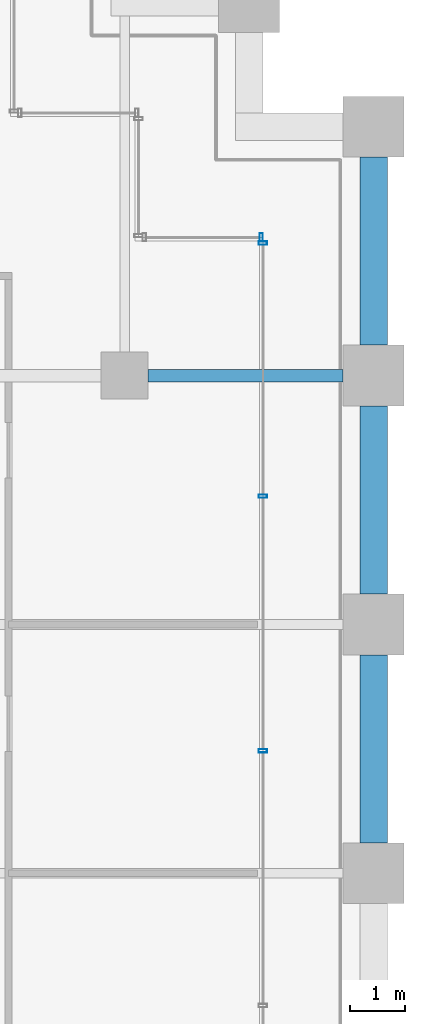
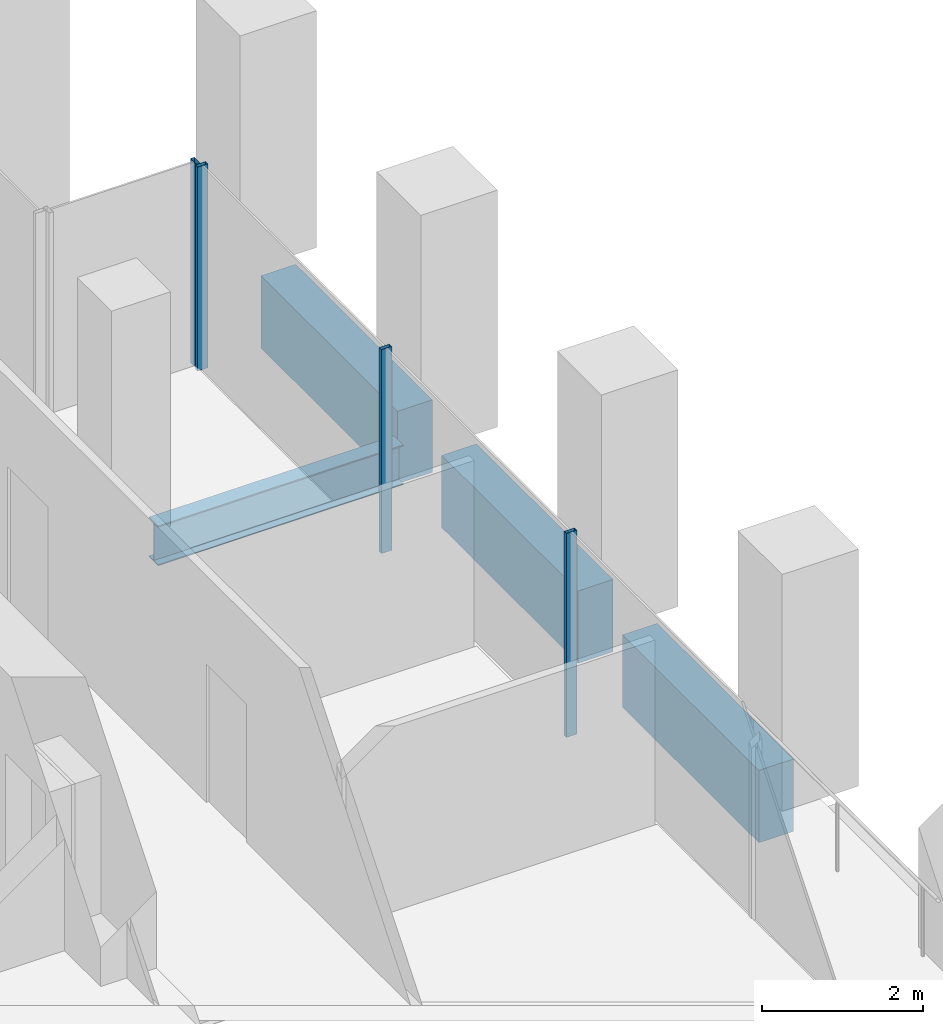
# One storey, part 47 of 54: 4 beams, 4 members, 2 elements without a shape of their own.
"""IFC4 building model written with IfcOpenShell, lengths in metres."""

from ifc_helpers import new_model, si_unit, direction, frame, origin, origin_2d, place, context, subcontext, project, spatial, rectangle, hollow_rectangle, i_section, extrude, material, material_profile, profile_set, type_object, element, aggregate, save


model = new_model("IFC4")

# Units and contexts
model_context = context("Model", 3, precision=1e-05, world=origin(), true_north=direction((0.0, 1.0)))
body_context = subcontext(model_context, "Body", "Model", "MODEL_VIEW")
ifc_project = project(units=[si_unit("LENGTHUNIT", "METRE"), si_unit("AREAUNIT", "SQUARE_METRE"), si_unit("VOLUMEUNIT", "CUBIC_METRE"), si_unit("PLANEANGLEUNIT", "RADIAN"), si_unit("MASSUNIT", "GRAM", prefix="KILO")], contexts=[model_context])

# Site, building, storey
site_placement = place(None, origin())
site = spatial("IfcSite", under=ifc_project, at=site_placement, CompositionType="ELEMENT")
building_placement = place(site_placement, origin())
building = spatial("IfcBuilding", under=site, at=building_placement, Name="Altepetl Exchange Towers", CompositionType="ELEMENT")
storey_placement = place(building_placement, frame((0.0, 0.0, 61.800048828125)))
storey = spatial("IfcBuildingStorey", under=building, at=storey_placement, Name="L14", CompositionType="ELEMENT", Elevation=61.800048828125)

# Beam
ifc_material_1 = material(Name="Steel S355", Category="steel")
ifc_material_profile_1 = material_profile(ifc_material_1, i_section(OverallWidth=0.22802734375, OverallDepth=0.60791015625, WebThickness=0.01123046875, FlangeThickness=0.017333984375, at=origin_2d()), Name="W24X76")
ifc_profile_set_1 = profile_set([ifc_material_profile_1], Name="Steel S355")
beam_type_1 = type_object("IfcBeamType", Name="Girder W24X76", PredefinedType="BEAM", material=ifc_profile_set_1)
beam_1_placement = place(storey_placement, frame((121.925048828125, 49.5, -0.4541015625), z_axis=(1.0, 0.0, 0.0), x_axis=(0.0, 1.0, 0.0)))
element("IfcBeam", 1, at=beam_1_placement, inside=storey, type_object=beam_type_1, Name="gd:B:L14:001", PredefinedType="BEAM", context=body_context, shape_type="SweptSolid", body=[
    extrude(i_section(OverallWidth=0.22802734375, OverallDepth=0.60791015625, WebThickness=0.01123046875, FlangeThickness=0.017333984375, at=origin_2d()), origin(), (0.0, 0.0, 1.0), 3.52490234375),
])

# Curtain wall, members
ifc_material_2 = material(Name="Aluminium 6063-T6 glazing", Category="aluminium")
curtain_wall_type = type_object("IfcCurtainWallType", Name="Loggia glazing system", PredefinedType="NOTDEFINED", material=ifc_material_2)
curtain_wall_1_placement = place(storey_placement, origin())
curtain_wall_1 = element("IfcCurtainWall", 2, at=curtain_wall_1_placement, inside=storey, type_object=curtain_wall_type, Name="CW1 run", PredefinedType="NOTDEFINED")
ifc_material_3 = material(Name="Aluminium 6063-T6", Category="aluminium")
ifc_material_profile_2 = material_profile(ifc_material_3, hollow_rectangle(XDim=0.06005859375, YDim=0.14990234375, WallThickness=0.0029296875, at=origin_2d()), Name="Mullion 60x150 aluminium")
ifc_profile_set_2 = profile_set([ifc_material_profile_2], Name="Aluminium 6063-T6")
member_type = type_object("IfcMemberType", Name="Mullion 60x150 aluminium", PredefinedType="MULLION", material=ifc_profile_set_2)
member_1_placement = place(storey_placement, frame((124.0, 42.71240234375, 0.0), z_axis=(0.0, 0.0, 1.0), x_axis=(0.0, 1.0, 0.0)))
member_1 = element("IfcMember", 3, at=member_1_placement, type_object=member_type, Name="MU1 mullion", PredefinedType="MULLION", context=body_context, shape_type="SweptSolid", body=[
    extrude(hollow_rectangle(XDim=0.06005859375, YDim=0.14990234375, WallThickness=0.0029296875, at=origin_2d()), origin(), (0.0, 0.0, 1.0), 3.099853515625),
])
member_2_placement = place(storey_placement, frame((124.0, 47.31884765625, 0.0), z_axis=(0.0, 0.0, 1.0), x_axis=(0.0, 1.0, 0.0)))
member_2 = element("IfcMember", 4, at=member_2_placement, type_object=member_type, Name="MU1 mullion", PredefinedType="MULLION", context=body_context, shape_type="SweptSolid", body=[
    extrude(hollow_rectangle(XDim=0.06005859375, YDim=0.14990234375, WallThickness=0.0029296875, at=origin_2d()), origin(), (0.0, 0.0, 1.0), 3.099853515625),
])
member_3_placement = place(storey_placement, frame((124.0, 51.89501953125, 0.0), z_axis=(0.0, 0.0, 1.0), x_axis=(0.0, 1.0, 0.0)))
member_3 = element("IfcMember", 5, at=member_3_placement, type_object=member_type, Name="MU1 mullion", PredefinedType="MULLION", context=body_context, shape_type="SweptSolid", body=[
    extrude(hollow_rectangle(XDim=0.06005859375, YDim=0.14990234375, WallThickness=0.0029296875, at=origin_2d()), origin(), (0.0, 0.0, 1.0), 3.099853515625),
])
aggregate(curtain_wall_1, [member_1, member_2, member_3])

# Curtain wall, member
curtain_wall_2_placement = place(storey_placement, origin())
curtain_wall_2 = element("IfcCurtainWall", 6, at=curtain_wall_2_placement, inside=storey, type_object=curtain_wall_type, Name="CW1 run", PredefinedType="NOTDEFINED")
member_4_placement = place(storey_placement, frame((123.969970703125, 52.0, 0.0), z_axis=(0.0, 0.0, 1.0), x_axis=(-1.0, 0.0, 0.0)))
member_4 = element("IfcMember", 7, at=member_4_placement, type_object=member_type, Name="MU1 mullion", PredefinedType="MULLION", context=body_context, shape_type="SweptSolid", body=[
    extrude(hollow_rectangle(XDim=0.06005859375, YDim=0.14990234375, WallThickness=0.0029296875, at=origin_2d()), origin(), (0.0, 0.0, 1.0), 3.099853515625),
])
aggregate(curtain_wall_2, [member_4])

# Beams
ifc_material_4 = material(Name="Concrete C50/60 precast with cantera amarilla facing", Category="concrete")
ifc_material_profile_3 = material_profile(ifc_material_4, rectangle(XDim=0.5, YDim=1.10009765625, at=origin_2d()), Name="500 x 1100")
ifc_profile_set_3 = profile_set([ifc_material_profile_3], Name="Concrete C50/60 precast with cantera amarilla facing")
beam_type_2 = type_object("IfcBeamType", Name="Spandrel beam 500x1100 cantera amarilla", PredefinedType="SPANDREL", material=ifc_profile_set_3)
beam_2_placement = place(storey_placement, frame((126.0, 50.050048828125, -0.699951171875), z_axis=(0.0, 1.0, 0.0), x_axis=(-1.0, 0.0, 0.0)))
element("IfcBeam", 8, at=beam_2_placement, inside=storey, type_object=beam_type_2, Name="sp:B:L14:013", PredefinedType="SPANDREL", context=body_context, shape_type="SweptSolid", body=[
    extrude(rectangle(XDim=0.5, YDim=1.10009765625, at=origin_2d()), origin(), (0.0, 0.0, 1.0), 3.39990234375),
])
ifc_material_5 = material(Name="Concrete C50/60 precast with cantera blanca facing", Category="concrete")
ifc_material_profile_4 = material_profile(ifc_material_5, rectangle(XDim=0.5, YDim=1.10009765625, at=origin_2d()), Name="500 x 1100")
ifc_profile_set_4 = profile_set([ifc_material_profile_4], Name="Concrete C50/60 precast with cantera blanca facing")
beam_type_3 = type_object("IfcBeamType", Name="Spandrel beam 500x1100 cantera blanca", PredefinedType="SPANDREL", material=ifc_profile_set_4)
for number, where, z_axis, x_axis, name in (
    (9, (126.0, 41.050048828125, -0.699951171875), (0.0, 1.0, 0.0), (-1.0, 0.0, 0.0), "sp:B:L14:011"),
    (10, (126.0, 45.550048828125, -0.699951171875), (0.0, 1.0, 0.0), (-1.0, 0.0, 0.0), "sp:B:L14:012"),
):
    element("IfcBeam", number, at=place(storey_placement, frame(where, z_axis=z_axis, x_axis=x_axis)), inside=storey, type_object=beam_type_3, Name=name, PredefinedType="SPANDREL", context=body_context, shape_type="SweptSolid", body=[
        extrude(rectangle(XDim=0.5, YDim=1.10009765625, at=origin_2d()), origin(), (0.0, 0.0, 1.0), 3.39990234375),
    ])

save(model, "model.ifc")
